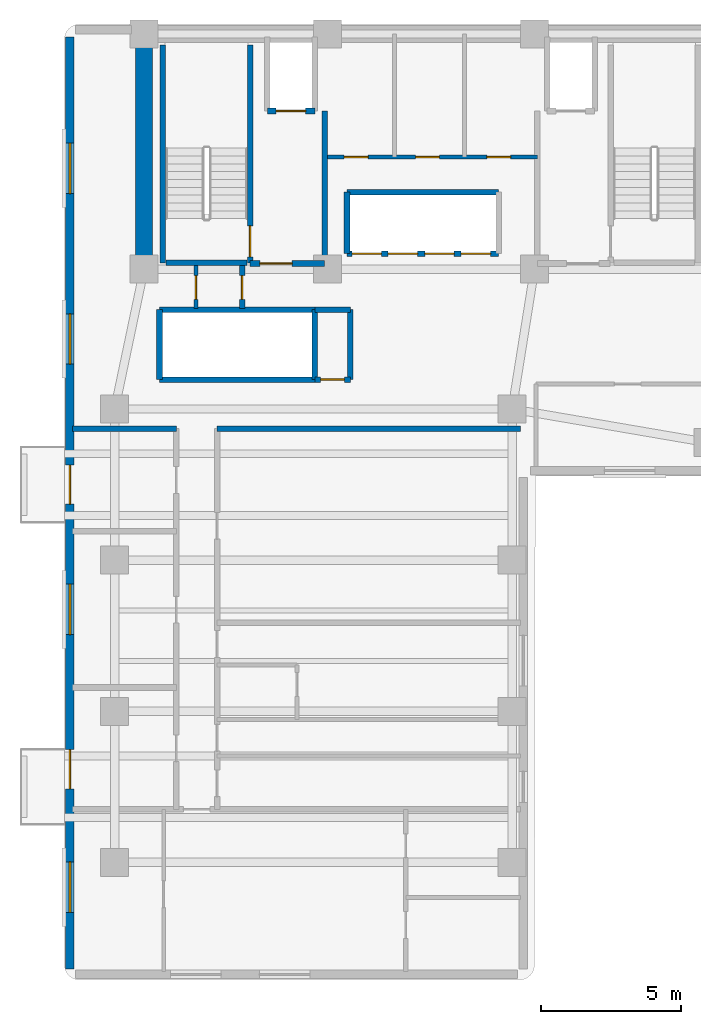
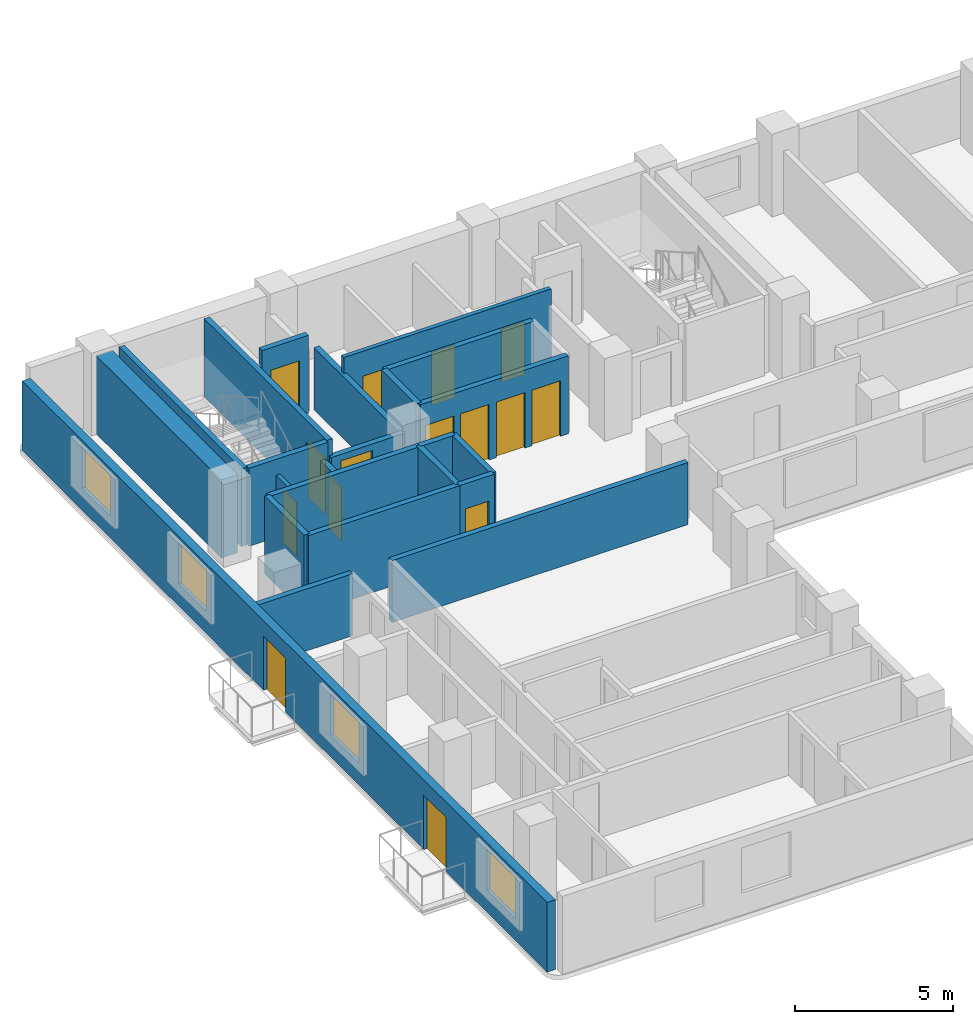
# One storey, part 3 of 7: 23 walls, 15 doors, 4 windows, 19 openings.
"""IFC4 building model written with IfcOpenShell, lengths in metres."""

from ifc_helpers import new_model, si_unit, direction, frame, frame_2d, origin, place, context, subcontext, project, spatial, rectangle, extrude, material, layer, layer_set, type_object, element, fill, save


model = new_model("IFC4")

# Units and contexts
model_context = context("Model", 3, precision=1e-05, world=origin(), true_north=direction((0.0, 1.0)))
body_context = subcontext(model_context, "Body", "Model", "MODEL_VIEW")
ifc_project = project(units=[si_unit("LENGTHUNIT", "METRE"), si_unit("AREAUNIT", "SQUARE_METRE"), si_unit("VOLUMEUNIT", "CUBIC_METRE"), si_unit("PLANEANGLEUNIT", "RADIAN"), si_unit("MASSUNIT", "GRAM", prefix="KILO")], contexts=[model_context])

# Site, building, storey
site_placement = place(None, origin())
site = spatial("IfcSite", under=ifc_project, at=site_placement, CompositionType="ELEMENT")
building_placement = place(site_placement, origin())
building = spatial("IfcBuilding", under=site, at=building_placement, Name="Kuzgunbayir Cultural Tower", CompositionType="ELEMENT")
storey_placement = place(building_placement, frame((0.0, 0.0, 113.800048828125)))
storey = spatial("IfcBuildingStorey", under=building, at=storey_placement, Name="L32", CompositionType="ELEMENT", Elevation=113.800048828125)

# Wall
ifc_material_1 = material(Name="Concrete C60/75", Category="concrete")
ifc_layer_1 = layer(ifc_material_1, 0.60009765625)
ifc_layer_set_1 = layer_set([ifc_layer_1], Name="Concrete C60/75")
wall_type_1 = type_object("IfcWallType", Name="WAL-CORE-600", PredefinedType="SHEAR", material=ifc_layer_set_1)
wall_1_placement = place(storey_placement, frame((6.449951171875, 33.800048828125, 0.0), z_axis=(0.0, 0.0, 1.0), x_axis=(0.0, 1.0, 0.0)))
element("IfcWall", 1, at=wall_1_placement, inside=storey, type_object=wall_type_1, Name="L32 T1 Core West Shear Wall", PredefinedType="SHEAR", context=body_context, shape_type="SweptSolid", body=[
    extrude(rectangle(XDim=7.949951171875, YDim=0.60009765625, at=frame_2d((3.97509765625, 0.0))), origin(), (0.0, 0.0, 1.0), 3.02001953125),
])

# Wall, openings, doors, windows
ifc_material_2 = material(Name="Anatolian Cream Limestone", Category="masonry")
ifc_layer_2 = layer(ifc_material_2, 0.300048828125)
ifc_layer_set_2 = layer_set([ifc_layer_2], Name="Anatolian Cream Limestone")
wall_type_2 = type_object("IfcWallType", Name="WAL-EXT-STONE-300", PredefinedType="STANDARD", material=ifc_layer_set_2)
wall_2_placement = place(storey_placement, frame((3.800048828125, 42.10009765625, 0.0), z_axis=(0.0, 0.0, 1.0), x_axis=(0.0, -1.0, 0.0)))
wall_2 = element("IfcWall", 2, at=wall_2_placement, inside=storey, type_object=wall_type_2, Name="L32 Wing A West Limestone Wall", PredefinedType="STANDARD", context=body_context, shape_type="SweptSolid", body=[
    extrude(rectangle(XDim=33.300048828125, YDim=0.300048828125, at=frame_2d((16.64990234375, 0.0))), origin(), (0.0, 0.0, 1.0), 2.699951171875),
])
opening_1_placement = place(wall_2_placement, frame((25.469970703125, 0.0, 0.0)))
opening_1 = element("IfcOpeningElement", 3, at=opening_1_placement, cuts=wall_2, Name="Opening BD-15", PredefinedType="OPENING", context=body_context, shape_type="SweptSolid", body=[
    extrude(rectangle(XDim=1.39990234375, YDim=2.10009765625, at=frame_2d((0.699951171875, 1.050048828125))), frame((0.0, 0.16015625, 0.0), z_axis=(0.0, -1.0, 0.0), x_axis=(1.0, 0.0, 0.0)), (0.0, 0.0, 1.0), 0.320068359375),
])
opening_2_placement = place(wall_2_placement, frame((15.300048828125, 0.0, 0.0)))
opening_2 = element("IfcOpeningElement", 4, at=opening_2_placement, cuts=wall_2, Name="Opening BD-15", PredefinedType="OPENING", context=body_context, shape_type="SweptSolid", body=[
    extrude(rectangle(XDim=1.39990234375, YDim=2.10009765625, at=frame_2d((0.699951171875, 1.050048828125))), frame((0.0, 0.16015625, 0.0), z_axis=(0.0, -1.0, 0.0), x_axis=(1.0, 0.0, 0.0)), (0.0, 0.0, 1.0), 0.320068359375),
])
opening_3_placement = place(wall_2_placement, frame((19.56005859375, 0.0, 0.85009765625)))
opening_3 = element("IfcOpeningElement", 5, at=opening_3_placement, cuts=wall_2, Name="Opening WH-18", PredefinedType="OPENING", context=body_context, shape_type="SweptSolid", body=[
    extrude(rectangle(XDim=1.800048828125, YDim=1.60009765625, at=frame_2d((0.89990234375, 0.800048828125))), frame((0.0, 0.16015625, 0.0), z_axis=(0.0, -1.0, 0.0), x_axis=(1.0, 0.0, 0.0)), (0.0, 0.0, 1.0), 0.320068359375),
])
opening_4_placement = place(wall_2_placement, frame((29.47998046875, 0.0, 0.85009765625)))
opening_4 = element("IfcOpeningElement", 6, at=opening_4_placement, cuts=wall_2, Name="Opening WH-18", PredefinedType="OPENING", context=body_context, shape_type="SweptSolid", body=[
    extrude(rectangle(XDim=1.800048828125, YDim=1.60009765625, at=frame_2d((0.89990234375, 0.800048828125))), frame((0.0, 0.16015625, 0.0), z_axis=(0.0, -1.0, 0.0), x_axis=(1.0, 0.0, 0.0)), (0.0, 0.0, 1.0), 0.320068359375),
])
opening_5_placement = place(wall_2_placement, frame((9.89990234375, 0.0, 0.85009765625)))
opening_5 = element("IfcOpeningElement", 7, at=opening_5_placement, cuts=wall_2, Name="Opening WH-18", PredefinedType="OPENING", context=body_context, shape_type="SweptSolid", body=[
    extrude(rectangle(XDim=1.800048828125, YDim=1.60009765625, at=frame_2d((0.89990234375, 0.800048828125))), frame((0.0, 0.16015625, 0.0), z_axis=(0.0, -1.0, 0.0), x_axis=(1.0, 0.0, 0.0)), (0.0, 0.0, 1.0), 0.320068359375),
])
opening_6_placement = place(wall_2_placement, frame((3.800048828125, 0.0, 0.85009765625)))
opening_6 = element("IfcOpeningElement", 8, at=opening_6_placement, cuts=wall_2, Name="Opening WH-18", PredefinedType="OPENING", context=body_context, shape_type="SweptSolid", body=[
    extrude(rectangle(XDim=1.800048828125, YDim=1.60009765625, at=frame_2d((0.89990234375, 0.800048828125))), frame((0.0, 0.16015625, 0.0), z_axis=(0.0, -1.0, 0.0), x_axis=(1.0, 0.0, 0.0)), (0.0, 0.0, 1.0), 0.320068359375),
])
ifc_material_3 = material(Name="Thermally Broken Glazed Aluminium", Category="aluminium")
door_type_1 = type_object("IfcDoorType", Name="DR-BALCONY-150", OperationType="SLIDING_TO_RIGHT", PredefinedType="DOOR", material=ifc_material_3)
door_1_placement = place(opening_1_placement, origin())
door_1 = element("IfcDoor", 9, at=door_1_placement, inside=storey, type_object=door_type_1, Name="L32 West Balcony Sliding Door BAL-L32-WA1", OperationType="SLIDING_TO_RIGHT", OverallHeight=2.10009765625, OverallWidth=1.39990234375, PredefinedType="DOOR", context=body_context, shape_type="SweptSolid", body=[
    extrude(rectangle(XDim=1.39990234375, YDim=2.10009765625, at=frame_2d((0.699951171875, 1.050048828125))), frame((0.0, 0.02490234375, 0.0), z_axis=(0.0, -1.0, 0.0), x_axis=(1.0, 0.0, 0.0)), (0.0, 0.0, 1.0), 0.050048828125),
])
fill(opening_1, door_1)
door_2_placement = place(opening_2_placement, origin())
door_2 = element("IfcDoor", 10, at=door_2_placement, inside=storey, type_object=door_type_1, Name="L32 West Balcony Sliding Door BAL-L32-WA3", OperationType="SLIDING_TO_RIGHT", OverallHeight=2.10009765625, OverallWidth=1.39990234375, PredefinedType="DOOR", context=body_context, shape_type="SweptSolid", body=[
    extrude(rectangle(XDim=1.39990234375, YDim=2.10009765625, at=frame_2d((0.699951171875, 1.050048828125))), frame((0.0, 0.02490234375, 0.0), z_axis=(0.0, -1.0, 0.0), x_axis=(1.0, 0.0, 0.0)), (0.0, 0.0, 1.0), 0.050048828125),
])
fill(opening_2, door_2)
ifc_material_4 = material(Name="Solar-Control Triple Glazing", Category="glass")
window_type = type_object("IfcWindowType", Name="WIN-HOTEL-18", PartitioningType="SINGLE_PANEL", PredefinedType="WINDOW", material=ifc_material_4)
window_1_placement = place(opening_3_placement, origin())
window_1 = element("IfcWindow", 11, at=window_1_placement, inside=storey, type_object=window_type, Name="L32 WAW Facade Window 2", OverallHeight=1.60009765625, OverallWidth=1.800048828125, PartitioningType="SINGLE_PANEL", PredefinedType="WINDOW", context=body_context, shape_type="SweptSolid", body=[
    extrude(rectangle(XDim=1.800048828125, YDim=1.60009765625, at=frame_2d((0.89990234375, 0.800048828125))), frame((0.0, 0.030029296875, 0.0), z_axis=(0.0, -1.0, 0.0), x_axis=(1.0, 0.0, 0.0)), (0.0, 0.0, 1.0), 0.06005859375),
])
fill(opening_3, window_1)
window_2_placement = place(opening_4_placement, origin())
window_2 = element("IfcWindow", 12, at=window_2_placement, inside=storey, type_object=window_type, Name="L32 WAW Facade Window 3", OverallHeight=1.60009765625, OverallWidth=1.800048828125, PartitioningType="SINGLE_PANEL", PredefinedType="WINDOW", context=body_context, shape_type="SweptSolid", body=[
    extrude(rectangle(XDim=1.800048828125, YDim=1.60009765625, at=frame_2d((0.89990234375, 0.800048828125))), frame((0.0, 0.030029296875, 0.0), z_axis=(0.0, -1.0, 0.0), x_axis=(1.0, 0.0, 0.0)), (0.0, 0.0, 1.0), 0.06005859375),
])
fill(opening_4, window_2)
window_3_placement = place(opening_5_placement, origin())
window_3 = element("IfcWindow", 13, at=window_3_placement, inside=storey, type_object=window_type, Name="L32 WAW Facade Window 9", OverallHeight=1.60009765625, OverallWidth=1.800048828125, PartitioningType="SINGLE_PANEL", PredefinedType="WINDOW", context=body_context, shape_type="SweptSolid", body=[
    extrude(rectangle(XDim=1.800048828125, YDim=1.60009765625, at=frame_2d((0.89990234375, 0.800048828125))), frame((0.0, 0.030029296875, 0.0), z_axis=(0.0, -1.0, 0.0), x_axis=(1.0, 0.0, 0.0)), (0.0, 0.0, 1.0), 0.06005859375),
])
fill(opening_5, window_3)
window_4_placement = place(opening_6_placement, origin())
window_4 = element("IfcWindow", 14, at=window_4_placement, inside=storey, type_object=window_type, Name="L32 WAW Facade Window 10", OverallHeight=1.60009765625, OverallWidth=1.800048828125, PartitioningType="SINGLE_PANEL", PredefinedType="WINDOW", context=body_context, shape_type="SweptSolid", body=[
    extrude(rectangle(XDim=1.800048828125, YDim=1.60009765625, at=frame_2d((0.89990234375, 0.800048828125))), frame((0.0, 0.030029296875, 0.0), z_axis=(0.0, -1.0, 0.0), x_axis=(1.0, 0.0, 0.0)), (0.0, 0.0, 1.0), 0.06005859375),
])
fill(opening_6, window_4)

# Wall, opening, door
ifc_material_5 = material(Name="Acoustic Double-Stud Drywall", Category="gypsum")
ifc_layer_3 = layer(ifc_material_5, 0.14990234375)
ifc_layer_set_3 = layer_set([ifc_layer_3], Name="Acoustic Double-Stud Drywall")
wall_type_3 = type_object("IfcWallType", Name="WAL-PART-ACOUSTIC-150", PredefinedType="PARTITIONING", material=ifc_layer_set_3)
wall_3_placement = place(storey_placement, frame((8.300048828125, 32.39990234375, 0.0), z_axis=(0.0, 0.0, 1.0), x_axis=(0.0, 1.0, 0.0)))
wall_3 = element("IfcWall", 15, at=wall_3_placement, inside=storey, type_object=wall_type_3, Name="L32 West Core Closet Divider", PredefinedType="PARTITIONING", context=body_context, shape_type="SweptSolid", body=[
    extrude(rectangle(XDim=1.52001953125, YDim=0.14990234375, at=frame_2d((0.760009765625, 0.0))), origin(), (0.0, 0.0, 1.0), 2.39990234375),
])
opening_7_placement = place(wall_3_placement, frame((0.320068359375, 0.0, 0.0)))
opening_7 = element("IfcOpeningElement", 16, at=opening_7_placement, cuts=wall_3, Name="Opening DR-RSR-60", PredefinedType="OPENING", context=body_context, shape_type="SweptSolid", body=[
    extrude(rectangle(XDim=0.85009765625, YDim=2.050048828125, at=frame_2d((0.425048828125, 1.02490234375))), frame((0.0, 0.0849609375, 0.0), z_axis=(0.0, -1.0, 0.0), x_axis=(1.0, 0.0, 0.0)), (0.0, 0.0, 1.0), 0.169921875),
])
ifc_material_6 = material(Name="Steel Access Leaf", Category="steel")
door_type_2 = type_object("IfcDoorType", Name="DR-RISER-60", OperationType="NOTDEFINED", PredefinedType="DOOR", material=ifc_material_6)
door_3_placement = place(opening_7_placement, origin())
door_3 = element("IfcDoor", 17, at=door_3_placement, inside=storey, type_object=door_type_2, Name="L32 Sub-Meter Closet Door", OperationType="SINGLE_SWING_RIGHT", OverallHeight=2.050048828125, OverallWidth=0.85009765625, PredefinedType="DOOR", context=body_context, shape_type="SweptSolid", body=[
    extrude(rectangle(XDim=0.85009765625, YDim=2.050048828125, at=frame_2d((0.425048828125, 1.02490234375))), frame((0.0, 0.02490234375, 0.0), z_axis=(0.0, -1.0, 0.0), x_axis=(1.0, 0.0, 0.0)), (0.0, 0.0, 1.0), 0.050048828125),
])
fill(opening_7, door_3)

# Wall, openings, doors
wall_4_placement = place(storey_placement, frame((12.89990234375, 37.800048828125, 0.0), z_axis=(0.0, 0.0, 1.0), x_axis=(1.0, 0.0, 0.0)))
wall_4 = element("IfcWall", 18, at=wall_4_placement, inside=storey, type_object=wall_type_3, Name="L32 Repurposed Core Suite Wall", PredefinedType="PARTITIONING", context=body_context, shape_type="SweptSolid", body=[
    extrude(rectangle(XDim=7.60009765625, YDim=0.14990234375, at=frame_2d((3.800048828125, 0.0))), origin(), (0.0, 0.0, 1.0), 3.02001953125),
])
opening_8_placement = place(wall_4_placement, frame((0.699951171875, 0.0, 0.0)))
opening_8 = element("IfcOpeningElement", 19, at=opening_8_placement, cuts=wall_4, Name="Opening DC-85", PredefinedType="OPENING", context=body_context, shape_type="SweptSolid", body=[
    extrude(rectangle(XDim=0.85009765625, YDim=2.050048828125, at=frame_2d((0.425048828125, 1.02490234375))), frame((0.0, 0.0849609375, 0.0), z_axis=(0.0, -1.0, 0.0), x_axis=(1.0, 0.0, 0.0)), (0.0, 0.0, 1.0), 0.169921875),
])
opening_9_placement = place(wall_4_placement, frame((3.25, 0.0, 0.0)))
opening_9 = element("IfcOpeningElement", 20, at=opening_9_placement, cuts=wall_4, Name="Opening DC-85", PredefinedType="OPENING", context=body_context, shape_type="SweptSolid", body=[
    extrude(rectangle(XDim=0.85009765625, YDim=2.050048828125, at=frame_2d((0.425048828125, 1.02490234375))), frame((0.0, 0.0849609375, 0.0), z_axis=(0.0, -1.0, 0.0), x_axis=(1.0, 0.0, 0.0)), (0.0, 0.0, 1.0), 0.169921875),
])
opening_10_placement = place(wall_4_placement, frame((5.800048828125, 0.0, 0.0)))
opening_10 = element("IfcOpeningElement", 21, at=opening_10_placement, cuts=wall_4, Name="Opening DC-85", PredefinedType="OPENING", context=body_context, shape_type="SweptSolid", body=[
    extrude(rectangle(XDim=0.85009765625, YDim=2.050048828125, at=frame_2d((0.425048828125, 1.02490234375))), frame((0.0, 0.0849609375, 0.0), z_axis=(0.0, -1.0, 0.0), x_axis=(1.0, 0.0, 0.0)), (0.0, 0.0, 1.0), 0.169921875),
])
ifc_material_7 = material(Name="Fire-Rated Veneered Oak Leaf", Category="wood")
door_type_3 = type_object("IfcDoorType", Name="DR-CORE-85", OperationType="NOTDEFINED", PredefinedType="DOOR", material=ifc_material_7)
door_4_placement = place(opening_8_placement, origin())
door_4 = element("IfcDoor", 22, at=door_4_placement, inside=storey, type_object=door_type_3, Name="L32 Phone Booth Door", OperationType="SINGLE_SWING_RIGHT", OverallHeight=2.050048828125, OverallWidth=0.85009765625, PredefinedType="DOOR", context=body_context, shape_type="SweptSolid", body=[
    extrude(rectangle(XDim=0.85009765625, YDim=2.050048828125, at=frame_2d((0.425048828125, 1.02490234375))), frame((0.0, 0.02490234375, 0.0), z_axis=(0.0, -1.0, 0.0), x_axis=(1.0, 0.0, 0.0)), (0.0, 0.0, 1.0), 0.050048828125),
])
fill(opening_8, door_4)
door_5_placement = place(opening_9_placement, origin())
door_5 = element("IfcDoor", 23, at=door_5_placement, inside=storey, type_object=door_type_3, Name="L32 Pantry Alcove Door", OperationType="SINGLE_SWING_LEFT", OverallHeight=2.050048828125, OverallWidth=0.85009765625, PredefinedType="DOOR", context=body_context, shape_type="SweptSolid", body=[
    extrude(rectangle(XDim=0.85009765625, YDim=2.050048828125, at=frame_2d((0.425048828125, 1.02490234375))), frame((0.0, 0.02490234375, 0.0), z_axis=(0.0, -1.0, 0.0), x_axis=(1.0, 0.0, 0.0)), (0.0, 0.0, 1.0), 0.050048828125),
])
fill(opening_9, door_5)
door_6_placement = place(opening_10_placement, origin())
door_6 = element("IfcDoor", 24, at=door_6_placement, inside=storey, type_object=door_type_3, Name="L32 Telecom Closet Door", OperationType="SINGLE_SWING_RIGHT", OverallHeight=2.050048828125, OverallWidth=0.85009765625, PredefinedType="DOOR", context=body_context, shape_type="SweptSolid", body=[
    extrude(rectangle(XDim=0.85009765625, YDim=2.050048828125, at=frame_2d((0.425048828125, 1.02490234375))), frame((0.0, 0.02490234375, 0.0), z_axis=(0.0, -1.0, 0.0), x_axis=(1.0, 0.0, 0.0)), (0.0, 0.0, 1.0), 0.050048828125),
])
fill(opening_10, door_6)

# Wall
ifc_material_8 = material(Name="Aerated Concrete Blockwork", Category="masonry")
ifc_layer_4 = layer(ifc_material_8, 0.199951171875)
ifc_layer_set_4 = layer_set([ifc_layer_4], Name="Aerated Concrete Blockwork")
wall_type_4 = type_object("IfcWallType", Name="WAL-PART-FIRE-200", PredefinedType="PARTITIONING", material=ifc_layer_set_4)
wall_5_placement = place(storey_placement, frame((12.89990234375, 34.0, 0.0), z_axis=(0.0, 0.0, 1.0), x_axis=(0.0, 1.0, 0.0)))
element("IfcWall", 25, at=wall_5_placement, inside=storey, type_object=wall_type_4, Name="L32 FFL-1 Lobby East Fire Wall", PredefinedType="PARTITIONING", context=body_context, shape_type="SweptSolid", body=[
    extrude(rectangle(XDim=5.449951171875, YDim=0.199951171875, at=frame_2d((2.72509765625, 0.0))), origin(), (0.0, 0.0, 1.0), 2.39990234375),
])

# Wall, opening, door
wall_6_placement = place(storey_placement, frame((10.239990234375, 34.0, 0.0), z_axis=(0.0, 0.0, 1.0), x_axis=(1.0, 0.0, 0.0)))
wall_6 = element("IfcWall", 26, at=wall_6_placement, inside=storey, type_object=wall_type_4, Name="L32 FFL-1 Lobby South Fire Wall", PredefinedType="PARTITIONING", context=body_context, shape_type="SweptSolid", body=[
    extrude(rectangle(XDim=2.659912109375, YDim=0.199951171875, at=frame_2d((1.330078125, 0.0))), origin(), (0.0, 0.0, 1.0), 2.39990234375),
])
opening_11_placement = place(wall_6_placement, frame((0.35009765625, 0.0, 0.0)))
opening_11 = element("IfcOpeningElement", 27, at=opening_11_placement, cuts=wall_6, Name="Opening DR-FFL-90", PredefinedType="OPENING", context=body_context, shape_type="SweptSolid", body=[
    extrude(rectangle(XDim=1.14990234375, YDim=2.14990234375, at=frame_2d((0.574951171875, 1.074951171875))), frame((0.0, 0.10986328125, 0.0), z_axis=(0.0, -1.0, 0.0), x_axis=(1.0, 0.0, 0.0)), (0.0, 0.0, 1.0), 0.219970703125),
])
ifc_material_9 = material(Name="Steel S355J2", Category="steel")
door_type_4 = type_object("IfcDoorType", Name="DR-FFL-90", OperationType="NOTDEFINED", PredefinedType="DOOR", material=ifc_material_9)
door_7_placement = place(opening_11_placement, origin())
door_7 = element("IfcDoor", 28, at=door_7_placement, inside=storey, type_object=door_type_4, Name="L32 Firefighting Lobby 1 Door", OperationType="SINGLE_SWING_LEFT", OverallHeight=2.14990234375, OverallWidth=1.14990234375, PredefinedType="DOOR", context=body_context, shape_type="SweptSolid", body=[
    extrude(rectangle(XDim=1.14990234375, YDim=2.14990234375, at=frame_2d((0.574951171875, 1.074951171875))), frame((0.0, 0.02490234375, 0.0), z_axis=(0.0, -1.0, 0.0), x_axis=(1.0, 0.0, 0.0)), (0.0, 0.0, 1.0), 0.050048828125),
])
fill(opening_11, door_7)

wall_7_placement = place(storey_placement, frame((9.949951171875, 32.39990234375, 0.0), z_axis=(0.0, 0.0, 1.0), x_axis=(0.0, 1.0, 0.0)))
wall_7 = element("IfcWall", 29, at=wall_7_placement, inside=storey, type_object=wall_type_4, Name="L32 West Core Service Closet Wall", PredefinedType="PARTITIONING", context=body_context, shape_type="SweptSolid", body=[
    extrude(rectangle(XDim=1.52001953125, YDim=0.199951171875, at=frame_2d((0.760009765625, 0.0))), origin(), (0.0, 0.0, 1.0), 2.39990234375),
])
opening_12_placement = place(wall_7_placement, frame((0.320068359375, 0.0, 0.0)))
opening_12 = element("IfcOpeningElement", 30, at=opening_12_placement, cuts=wall_7, Name="Opening DR-RSR-60", PredefinedType="OPENING", context=body_context, shape_type="SweptSolid", body=[
    extrude(rectangle(XDim=0.85009765625, YDim=2.050048828125, at=frame_2d((0.425048828125, 1.02490234375))), frame((0.0, 0.10986328125, 0.0), z_axis=(0.0, -1.0, 0.0), x_axis=(1.0, 0.0, 0.0)), (0.0, 0.0, 1.0), 0.219970703125),
])
door_8_placement = place(opening_12_placement, origin())
door_8 = element("IfcDoor", 31, at=door_8_placement, inside=storey, type_object=door_type_2, Name="L32 Cleaner Store Door", OperationType="SINGLE_SWING_LEFT", OverallHeight=2.050048828125, OverallWidth=0.85009765625, PredefinedType="DOOR", context=body_context, shape_type="SweptSolid", body=[
    extrude(rectangle(XDim=0.85009765625, YDim=2.050048828125, at=frame_2d((0.425048828125, 1.02490234375))), frame((0.0, 0.02490234375, 0.0), z_axis=(0.0, -1.0, 0.0), x_axis=(1.0, 0.0, 0.0)), (0.0, 0.0, 1.0), 0.050048828125),
])
fill(opening_12, door_8)

wall_8_placement = place(storey_placement, frame((12.550048828125, 29.85009765625, 0.0), z_axis=(0.0, 0.0, 1.0), x_axis=(1.0, 0.0, 0.0)))
wall_8 = element("IfcWall", 32, at=wall_8_placement, inside=storey, type_object=wall_type_4, Name="L32 Center Core Switchgear South Wall", PredefinedType="PARTITIONING", context=body_context, shape_type="SweptSolid", body=[
    extrude(rectangle(XDim=1.27001953125, YDim=0.199951171875, at=frame_2d((0.635009765625, 0.0))), origin(), (0.0, 0.0, 1.0), 3.02001953125),
])
opening_13_placement = place(wall_8_placement, frame((0.2099609375, 0.0, 0.0)))
opening_13 = element("IfcOpeningElement", 33, at=opening_13_placement, cuts=wall_8, Name="Opening DR-RSR-60", PredefinedType="OPENING", context=body_context, shape_type="SweptSolid", body=[
    extrude(rectangle(XDim=0.85009765625, YDim=2.050048828125, at=frame_2d((0.425048828125, 1.02490234375))), frame((0.0, 0.10986328125, 0.0), z_axis=(0.0, -1.0, 0.0), x_axis=(1.0, 0.0, 0.0)), (0.0, 0.0, 1.0), 0.219970703125),
])
door_9_placement = place(opening_13_placement, origin())
door_9 = element("IfcDoor", 34, at=door_9_placement, inside=storey, type_object=door_type_2, Name="L32 Telecom Closet Door", OperationType="SINGLE_SWING_LEFT", OverallHeight=2.050048828125, OverallWidth=0.85009765625, PredefinedType="DOOR", context=body_context, shape_type="SweptSolid", body=[
    extrude(rectangle(XDim=0.85009765625, YDim=2.050048828125, at=frame_2d((0.425048828125, 1.02490234375))), frame((0.0, 0.02490234375, 0.0), z_axis=(0.0, -1.0, 0.0), x_axis=(1.0, 0.0, 0.0)), (0.0, 0.0, 1.0), 0.050048828125),
])
fill(opening_13, door_9)

# Walls
wall_9_placement = place(storey_placement, frame((13.820068359375, 29.85009765625, 0.0), z_axis=(0.0, 0.0, 1.0), x_axis=(0.0, 1.0, 0.0)))
element("IfcWall", 35, at=wall_9_placement, inside=storey, type_object=wall_type_4, Name="L32 Center Core Switchgear East Wall", PredefinedType="PARTITIONING", context=body_context, shape_type="SweptSolid", body=[
    extrude(rectangle(XDim=2.5, YDim=0.199951171875, at=frame_2d((1.25, 0.0))), origin(), (0.0, 0.0, 1.0), 3.02001953125),
])
wall_10_placement = place(storey_placement, frame((12.550048828125, 32.35009765625, 0.0), z_axis=(0.0, 0.0, 1.0), x_axis=(1.0, 0.0, 0.0)))
element("IfcWall", 36, at=wall_10_placement, inside=storey, type_object=wall_type_4, Name="L32 Center Core Switchgear North Wall", PredefinedType="PARTITIONING", context=body_context, shape_type="SweptSolid", body=[
    extrude(rectangle(XDim=1.27001953125, YDim=0.199951171875, at=frame_2d((0.635009765625, 0.0))), origin(), (0.0, 0.0, 1.0), 3.02001953125),
])
wall_11_placement = place(storey_placement, frame((3.89990234375, 28.10009765625, 0.0), z_axis=(0.0, 0.0, 1.0), x_axis=(1.0, 0.0, 0.0)))
element("IfcWall", 37, at=wall_11_placement, inside=storey, type_object=wall_type_4, Name="L32 North West Partition", PredefinedType="PARTITIONING", context=body_context, shape_type="SweptSolid", body=[
    extrude(rectangle(XDim=3.7001953125, YDim=0.199951171875, at=frame_2d((1.85009765625, 0.0))), origin(), (0.0, 0.0, 1.0), 2.39990234375),
])
wall_12_placement = place(storey_placement, frame((9.06005859375, 28.10009765625, 0.0), z_axis=(0.0, 0.0, 1.0), x_axis=(1.0, 0.0, 0.0)))
element("IfcWall", 38, at=wall_12_placement, inside=storey, type_object=wall_type_4, Name="L32 North East Partition", PredefinedType="PARTITIONING", context=body_context, shape_type="SweptSolid", body=[
    extrude(rectangle(XDim=10.83984375, YDim=0.199951171875, at=frame_2d((5.419921875, 0.0))), origin(), (0.0, 0.0, 1.0), 2.39990234375),
])
ifc_material_10 = material(Name="Concrete C40/50", Category="concrete")
ifc_layer_5 = layer(ifc_material_10, 0.199951171875)
ifc_layer_set_5 = layer_set([ifc_layer_5], Name="Concrete C40/50")
wall_type_5 = type_object("IfcWallType", Name="WAL-SHAFT-200", PredefinedType="MOVABLE", material=ifc_layer_set_5)
for number, where, z_axis, x_axis, name in (
    (39, (7.0, 29.85009765625, 0.0), (0.0, 0.0, 1.0), (1.0, 0.0, 0.0), "L32 High-Rise Lift Shaft South Wall"),
    (40, (7.0, 32.35009765625, 0.0), (0.0, 0.0, 1.0), (1.0, 0.0, 0.0), "L32 High-Rise Lift Shaft North Wall"),
):
    element("IfcWall", number, at=place(storey_placement, frame(where, z_axis=z_axis, x_axis=x_axis)), inside=storey, type_object=wall_type_5, Name=name, PredefinedType="MOVABLE", context=body_context, shape_type="SweptSolid", body=[
        extrude(rectangle(XDim=5.550048828125, YDim=0.199951171875, at=frame_2d((2.77490234375, 0.0))), origin(), (0.0, 0.0, 1.0), 3.02001953125),
    ])
for number, where, z_axis, x_axis, name in (
    (41, (7.0, 29.85009765625, 0.0), (0.0, 0.0, 1.0), (0.0, 1.0, 0.0), "L32 High-Rise Lift Shaft West Wall"),
    (42, (12.550048828125, 29.85009765625, 0.0), (0.0, 0.0, 1.0), (0.0, 1.0, 0.0), "L32 High-Rise Lift Shaft East Wall"),
):
    element("IfcWall", number, at=place(storey_placement, frame(where, z_axis=z_axis, x_axis=x_axis)), inside=storey, type_object=wall_type_5, Name=name, PredefinedType="MOVABLE", context=body_context, shape_type="SweptSolid", body=[
        extrude(rectangle(XDim=2.5, YDim=0.199951171875, at=frame_2d((1.25, 0.0))), origin(), (0.0, 0.0, 1.0), 3.02001953125),
    ])

# Wall, opening, door
wall_13_placement = place(storey_placement, frame((10.85009765625, 39.449951171875, 0.0), z_axis=(0.0, 0.0, 1.0), x_axis=(1.0, 0.0, 0.0)))
wall_13 = element("IfcWall", 43, at=wall_13_placement, inside=storey, type_object=wall_type_5, Name="L32 FFL-1 Lift Front Wall", PredefinedType="MOVABLE", context=body_context, shape_type="SweptSolid", body=[
    extrude(rectangle(XDim=1.699951171875, YDim=0.199951171875, at=frame_2d((0.85009765625, 0.0))), origin(), (0.0, 0.0, 1.0), 3.02001953125),
])
opening_14_placement = place(wall_13_placement, frame((0.320068359375, 0.0, 0.0)))
opening_14 = element("IfcOpeningElement", 44, at=opening_14_placement, cuts=wall_13, Name="Opening LD", PredefinedType="OPENING", context=body_context, shape_type="SweptSolid", body=[
    extrude(rectangle(XDim=1.050048828125, YDim=2.14990234375, at=frame_2d((0.52490234375, 1.074951171875))), frame((0.0, 0.10986328125, 0.0), z_axis=(0.0, -1.0, 0.0), x_axis=(1.0, 0.0, 0.0)), (0.0, 0.0, 1.0), 0.219970703125),
])
ifc_material_11 = material(Name="Brushed Stainless Steel", Category="steel")
door_type_5 = type_object("IfcDoorType", Name="DR-LIFT-LANDING", OperationType="SLIDING_TO_LEFT", PredefinedType="DOOR", material=ifc_material_11)
door_10_placement = place(opening_14_placement, origin())
door_10 = element("IfcDoor", 45, at=door_10_placement, inside=storey, type_object=door_type_5, Name="L32 Lift FFL-1 Landing Door", OperationType="SLIDING_TO_LEFT", OverallHeight=2.14990234375, OverallWidth=1.050048828125, PredefinedType="DOOR", context=body_context, shape_type="SweptSolid", body=[
    extrude(rectangle(XDim=1.050048828125, YDim=2.14990234375, at=frame_2d((0.52490234375, 1.074951171875))), frame((0.0, 0.02490234375, 0.0), z_axis=(0.0, -1.0, 0.0), x_axis=(1.0, 0.0, 0.0)), (0.0, 0.0, 1.0), 0.050048828125),
])
fill(opening_14, door_10)

# Wall, openings, doors
wall_14_placement = place(storey_placement, frame((13.699951171875, 34.35009765625, 0.0), z_axis=(0.0, 0.0, 1.0), x_axis=(1.0, 0.0, 0.0)))
wall_14 = element("IfcWall", 46, at=wall_14_placement, inside=storey, type_object=wall_type_5, Name="L32 Mid-Rise Lift Front Wall", PredefinedType="MOVABLE", context=body_context, shape_type="SweptSolid", body=[
    extrude(rectangle(XDim=5.420166015625, YDim=0.199951171875, at=frame_2d((2.7099609375, 0.0))), origin(), (0.0, 0.0, 1.0), 3.02001953125),
])
opening_15_placement = place(wall_14_placement, frame((0.179931640625, 0.0, 0.0)))
opening_15 = element("IfcOpeningElement", 47, at=opening_15_placement, cuts=wall_14, Name="Opening LD", PredefinedType="OPENING", context=body_context, shape_type="SweptSolid", body=[
    extrude(rectangle(XDim=1.050048828125, YDim=2.14990234375, at=frame_2d((0.52490234375, 1.074951171875))), frame((0.0, 0.10986328125, 0.0), z_axis=(0.0, -1.0, 0.0), x_axis=(1.0, 0.0, 0.0)), (0.0, 0.0, 1.0), 0.219970703125),
])
opening_16_placement = place(wall_14_placement, frame((1.469970703125, 0.0, 0.0)))
opening_16 = element("IfcOpeningElement", 48, at=opening_16_placement, cuts=wall_14, Name="Opening LD", PredefinedType="OPENING", context=body_context, shape_type="SweptSolid", body=[
    extrude(rectangle(XDim=1.050048828125, YDim=2.14990234375, at=frame_2d((0.52490234375, 1.074951171875))), frame((0.0, 0.10986328125, 0.0), z_axis=(0.0, -1.0, 0.0), x_axis=(1.0, 0.0, 0.0)), (0.0, 0.0, 1.0), 0.219970703125),
])
opening_17_placement = place(wall_14_placement, frame((2.780029296875, 0.0, 0.0)))
opening_17 = element("IfcOpeningElement", 49, at=opening_17_placement, cuts=wall_14, Name="Opening LD", PredefinedType="OPENING", context=body_context, shape_type="SweptSolid", body=[
    extrude(rectangle(XDim=1.050048828125, YDim=2.14990234375, at=frame_2d((0.52490234375, 1.074951171875))), frame((0.0, 0.10986328125, 0.0), z_axis=(0.0, -1.0, 0.0), x_axis=(1.0, 0.0, 0.0)), (0.0, 0.0, 1.0), 0.219970703125),
])
opening_18_placement = place(wall_14_placement, frame((4.080078125, 0.0, 0.0)))
opening_18 = element("IfcOpeningElement", 50, at=opening_18_placement, cuts=wall_14, Name="Opening LD", PredefinedType="OPENING", context=body_context, shape_type="SweptSolid", body=[
    extrude(rectangle(XDim=1.050048828125, YDim=2.14990234375, at=frame_2d((0.52490234375, 1.074951171875))), frame((0.0, 0.10986328125, 0.0), z_axis=(0.0, -1.0, 0.0), x_axis=(1.0, 0.0, 0.0)), (0.0, 0.0, 1.0), 0.219970703125),
])
door_11_placement = place(opening_15_placement, origin())
door_11 = element("IfcDoor", 51, at=door_11_placement, inside=storey, type_object=door_type_5, Name="L32 Lift PM-1 Landing Door", OperationType="SLIDING_TO_LEFT", OverallHeight=2.14990234375, OverallWidth=1.050048828125, PredefinedType="DOOR", context=body_context, shape_type="SweptSolid", body=[
    extrude(rectangle(XDim=1.050048828125, YDim=2.14990234375, at=frame_2d((0.52490234375, 1.074951171875))), frame((0.0, 0.02490234375, 0.0), z_axis=(0.0, -1.0, 0.0), x_axis=(1.0, 0.0, 0.0)), (0.0, 0.0, 1.0), 0.050048828125),
])
fill(opening_15, door_11)
door_12_placement = place(opening_16_placement, origin())
door_12 = element("IfcDoor", 52, at=door_12_placement, inside=storey, type_object=door_type_5, Name="L32 Lift PM-2 Landing Door", OperationType="SLIDING_TO_LEFT", OverallHeight=2.14990234375, OverallWidth=1.050048828125, PredefinedType="DOOR", context=body_context, shape_type="SweptSolid", body=[
    extrude(rectangle(XDim=1.050048828125, YDim=2.14990234375, at=frame_2d((0.52490234375, 1.074951171875))), frame((0.0, 0.02490234375, 0.0), z_axis=(0.0, -1.0, 0.0), x_axis=(1.0, 0.0, 0.0)), (0.0, 0.0, 1.0), 0.050048828125),
])
fill(opening_16, door_12)
door_13_placement = place(opening_17_placement, origin())
door_13 = element("IfcDoor", 53, at=door_13_placement, inside=storey, type_object=door_type_5, Name="L32 Lift PM-3 Landing Door", OperationType="SLIDING_TO_LEFT", OverallHeight=2.14990234375, OverallWidth=1.050048828125, PredefinedType="DOOR", context=body_context, shape_type="SweptSolid", body=[
    extrude(rectangle(XDim=1.050048828125, YDim=2.14990234375, at=frame_2d((0.52490234375, 1.074951171875))), frame((0.0, 0.02490234375, 0.0), z_axis=(0.0, -1.0, 0.0), x_axis=(1.0, 0.0, 0.0)), (0.0, 0.0, 1.0), 0.050048828125),
])
fill(opening_17, door_13)
door_14_placement = place(opening_18_placement, origin())
door_14 = element("IfcDoor", 54, at=door_14_placement, inside=storey, type_object=door_type_5, Name="L32 Lift PM-4 Landing Door", OperationType="SLIDING_TO_LEFT", OverallHeight=2.14990234375, OverallWidth=1.050048828125, PredefinedType="DOOR", context=body_context, shape_type="SweptSolid", body=[
    extrude(rectangle(XDim=1.050048828125, YDim=2.14990234375, at=frame_2d((0.52490234375, 1.074951171875))), frame((0.0, 0.02490234375, 0.0), z_axis=(0.0, -1.0, 0.0), x_axis=(1.0, 0.0, 0.0)), (0.0, 0.0, 1.0), 0.050048828125),
])
fill(opening_18, door_14)

# Walls
wall_15_placement = place(storey_placement, frame((13.699951171875, 36.550048828125, 0.0), z_axis=(0.0, 0.0, 1.0), x_axis=(1.0, 0.0, 0.0)))
element("IfcWall", 55, at=wall_15_placement, inside=storey, type_object=wall_type_5, Name="L32 Mid-Rise Lift Shaft North Wall", PredefinedType="MOVABLE", context=body_context, shape_type="SweptSolid", body=[
    extrude(rectangle(XDim=5.420166015625, YDim=0.199951171875, at=frame_2d((2.7099609375, 0.0))), origin(), (0.0, 0.0, 1.0), 3.02001953125),
])
wall_16_placement = place(storey_placement, frame((13.699951171875, 34.35009765625, 0.0), z_axis=(0.0, 0.0, 1.0), x_axis=(0.0, 1.0, 0.0)))
element("IfcWall", 56, at=wall_16_placement, inside=storey, type_object=wall_type_5, Name="L32 Mid-Rise Lift Shaft West Wall", PredefinedType="MOVABLE", context=body_context, shape_type="SweptSolid", body=[
    extrude(rectangle(XDim=2.199951171875, YDim=0.199951171875, at=frame_2d((1.10009765625, 0.0))), origin(), (0.0, 0.0, 1.0), 3.02001953125),
])
ifc_layer_6 = layer(ifc_material_10, 0.199951171875)
ifc_layer_set_6 = layer_set([ifc_layer_6], Name="Concrete C40/50")
wall_type_6 = type_object("IfcWallType", Name="WAL-STAIR-RC-200", PredefinedType="SHEAR", material=ifc_layer_set_6)
wall_17_placement = place(storey_placement, frame((7.1201171875, 34.02001953125, 0.0), z_axis=(0.0, 0.0, 1.0), x_axis=(0.0, 1.0, 0.0)))
element("IfcWall", 57, at=wall_17_placement, inside=storey, type_object=wall_type_6, Name="L32 Stair ST-1 West Structural Wall", PredefinedType="SHEAR", context=body_context, shape_type="SweptSolid", body=[
    extrude(rectangle(XDim=7.780029296875, YDim=0.199951171875, at=frame_2d((3.89013671875, 0.0))), origin(), (0.0, 0.0, 1.0), 3.02001953125),
])

# Wall, opening, door
wall_18_placement = place(storey_placement, frame((10.239990234375, 34.02001953125, 0.0), z_axis=(0.0, 0.0, 1.0), x_axis=(0.0, 1.0, 0.0)))
wall_18 = element("IfcWall", 58, at=wall_18_placement, inside=storey, type_object=wall_type_6, Name="L32 Stair ST-1 East Structural Wall", PredefinedType="SHEAR", context=body_context, shape_type="SweptSolid", body=[
    extrude(rectangle(XDim=7.780029296875, YDim=0.199951171875, at=frame_2d((3.89013671875, 0.0))), origin(), (0.0, 0.0, 1.0), 3.02001953125),
])
opening_19_placement = place(wall_18_placement, frame((0.219970703125, 0.0, 0.0)))
opening_19 = element("IfcOpeningElement", 59, at=opening_19_placement, cuts=wall_18, Name="Opening DR-STAIR-90", PredefinedType="OPENING", context=body_context, shape_type="SweptSolid", body=[
    extrude(rectangle(XDim=1.10009765625, YDim=2.14990234375, at=frame_2d((0.550048828125, 1.074951171875))), frame((0.0, 0.10986328125, 0.0), z_axis=(0.0, -1.0, 0.0), x_axis=(1.0, 0.0, 0.0)), (0.0, 0.0, 1.0), 0.219970703125),
])
door_type_6 = type_object("IfcDoorType", Name="DR-STAIR-90", OperationType="NOTDEFINED", PredefinedType="DOOR", material=ifc_material_9)
door_15_placement = place(opening_19_placement, origin())
door_15 = element("IfcDoor", 60, at=door_15_placement, inside=storey, type_object=door_type_6, Name="L32 Stair ST-1 Fire Door", OperationType="SINGLE_SWING_RIGHT", OverallHeight=2.14990234375, OverallWidth=1.10009765625, PredefinedType="DOOR", context=body_context, shape_type="SweptSolid", body=[
    extrude(rectangle(XDim=1.10009765625, YDim=2.14990234375, at=frame_2d((0.550048828125, 1.074951171875))), frame((0.0, 0.02490234375, 0.0), z_axis=(0.0, -1.0, 0.0), x_axis=(1.0, 0.0, 0.0)), (0.0, 0.0, 1.0), 0.050048828125),
])
fill(opening_19, door_15)

# Wall
wall_19_placement = place(storey_placement, frame((7.239990234375, 34.02001953125, 0.0), z_axis=(0.0, 0.0, 1.0), x_axis=(1.0, 0.0, 0.0)))
element("IfcWall", 61, at=wall_19_placement, inside=storey, type_object=wall_type_6, Name="L32 Stair ST-1 South Structural Wall", PredefinedType="SHEAR", context=body_context, shape_type="SweptSolid", body=[
    extrude(rectangle(XDim=2.880126953125, YDim=0.199951171875, at=frame_2d((1.43994140625, 0.0))), origin(), (0.0, 0.0, 1.0), 3.02001953125),
])

save(model, "model.ifc")
